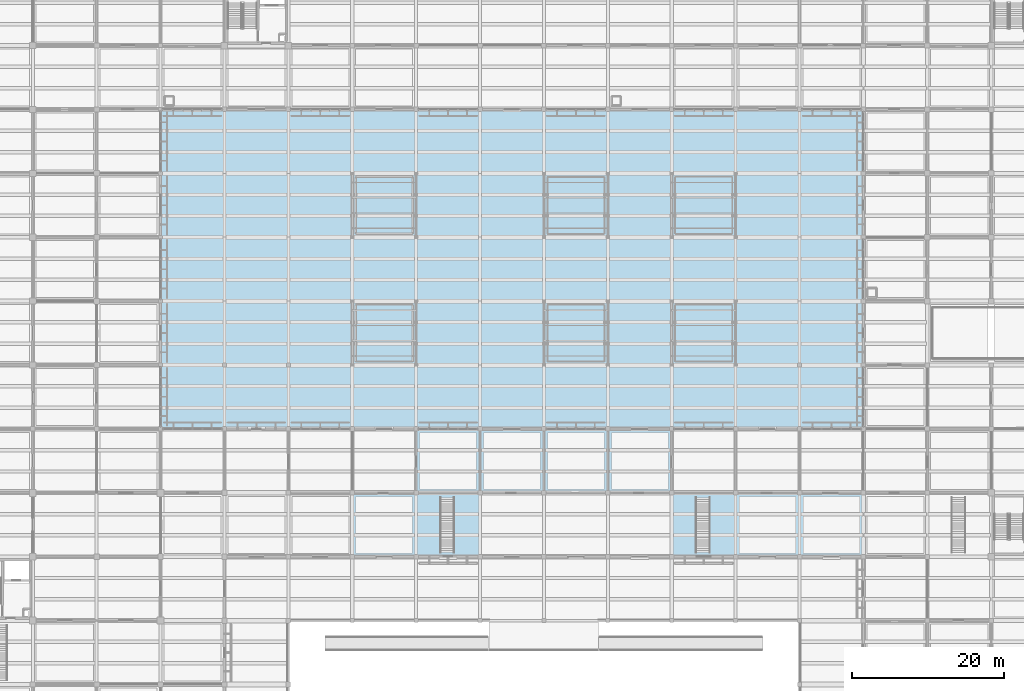
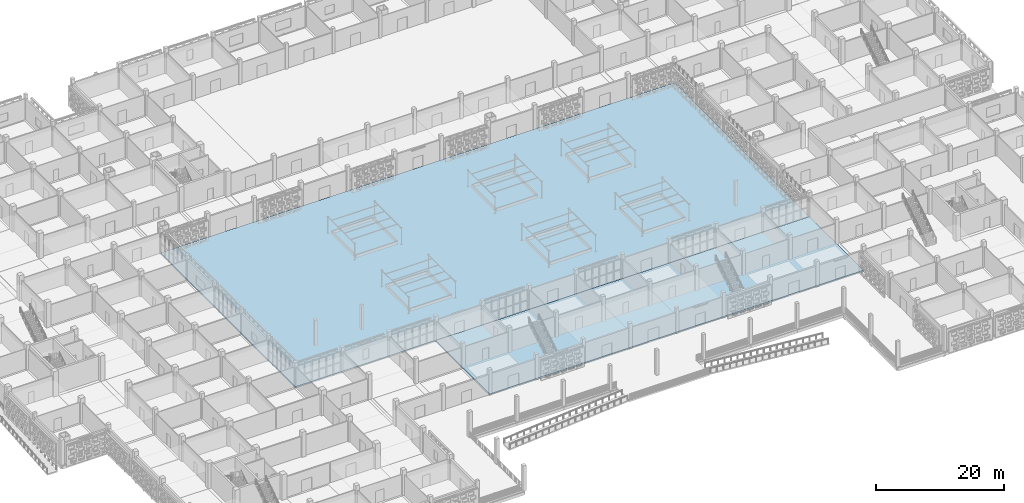
# One storey, part 47 of 129: 2 slabs.
"""IFC4 building model written with IfcOpenShell, lengths in metres."""

from ifc_helpers import new_model, si_unit, direction, frame, origin, place, context, subcontext, project, spatial, polyline, outline, extrude, material, layer, layer_set, type_object, element, save


model = new_model("IFC4")

# Units and contexts
model_context = context("Model", 3, precision=1e-05, world=origin(), true_north=direction((0.0, 1.0)))
body_context = subcontext(model_context, "Body", "Model", "MODEL_VIEW")
ifc_project = project(units=[si_unit("LENGTHUNIT", "METRE"), si_unit("AREAUNIT", "SQUARE_METRE"), si_unit("VOLUMEUNIT", "CUBIC_METRE"), si_unit("PLANEANGLEUNIT", "RADIAN"), si_unit("MASSUNIT", "GRAM", prefix="KILO")], contexts=[model_context])

# Site, building, storey
site_placement = place(None, origin())
site = spatial("IfcSite", under=ifc_project, at=site_placement, CompositionType="ELEMENT")
building_placement = place(site_placement, origin())
building = spatial("IfcBuilding", under=site, at=building_placement, Name="Varnapada Polytechnic", CompositionType="ELEMENT")
storey_placement = place(building_placement, origin())
storey = spatial("IfcBuildingStorey", under=building, at=storey_placement, Name="L00", CompositionType="ELEMENT", Elevation=0.0)

# Slabs
ifc_material = material(Name="Concrete C40/50", Category="concrete")
ifc_layer_1 = layer(ifc_material, 0.280029296875)
ifc_layer_set_1 = layer_set([ifc_layer_1], Name="Concrete C40/50")
slab_type_1 = type_object("IfcSlabType", Name="L00 exterior colonnade and portico deck SL-03", PredefinedType="FLOOR", material=ifc_layer_set_1)
slab_1_placement = place(storey_placement, frame((0.0, 0.0, -0.280029296875)))
element("IfcSlab", 1, at=slab_1_placement, inside=storey, type_object=slab_type_1, Name="L00 COLONNADE slab 1.2", PredefinedType="FLOOR", context=body_context, shape_type="SweptSolid", body=[
    extrude(outline(polyline([(42.0, 67.199951171875), (42.0, 75.60009765625), (42.0, 84.0), (50.39990234375, 84.0), (58.800048828125, 84.0), (67.199951171875, 84.0), (75.60009765625, 84.0), (84.0, 84.0), (92.39990234375, 84.0), (100.800048828125, 84.0), (109.199951171875, 84.0), (117.60009765625, 84.0), (126.0, 84.0), (134.39990234375, 84.0), (134.39990234375, 75.60009765625), (134.39990234375, 67.199951171875), (134.39990234375, 58.800048828125), (134.39990234375, 50.39990234375), (134.39990234375, 42.0), (126.0, 42.0), (117.60009765625, 42.0), (109.199951171875, 42.0), (100.800048828125, 42.0), (92.39990234375, 42.0), (84.0, 42.0), (75.60009765625, 42.0), (67.199951171875, 42.0), (58.800048828125, 42.0), (50.39990234375, 42.0), (42.0, 42.0), (42.0, 50.39990234375), (42.0, 58.800048828125), (42.0, 67.199951171875)])), origin(), (0.0, 0.0, 1.0), 0.280029296875),
])
ifc_layer_2 = layer(ifc_material, 0.300048828125)
ifc_layer_set_2 = layer_set([ifc_layer_2], Name="Concrete C40/50")
slab_type_2 = type_object("IfcSlabType", Name="L00 interior flood-resilient podium slab SL-01", PredefinedType="FLOOR", material=ifc_layer_set_2)
slab_2_placement = place(storey_placement, frame((0.0, 0.0, -0.300048828125)))
element("IfcSlab", 2, at=slab_2_placement, inside=storey, type_object=slab_type_2, Name="L00 V5 slab 3.1", PredefinedType="FLOOR", context=body_context, shape_type="SweptSolid", body=[
    extrude(outline(polyline([(92.39990234375, 25.199951171875), (84.0, 25.199951171875), (75.60009765625, 25.199951171875), (67.199951171875, 25.199951171875), (67.199951171875, 33.60009765625), (67.199951171875, 42.0), (75.60009765625, 42.0), (84.0, 42.0), (92.39990234375, 42.0), (100.800048828125, 42.0), (109.199951171875, 42.0), (117.60009765625, 42.0), (126.0, 42.0), (134.39990234375, 42.0), (134.39990234375, 33.60009765625), (134.39990234375, 25.199951171875), (126.0, 25.199951171875), (117.60009765625, 25.199951171875), (109.199951171875, 25.199951171875), (100.800048828125, 25.199951171875), (92.39990234375, 25.199951171875)])), origin(), (0.0, 0.0, 1.0), 0.300048828125),
])

save(model, "model.ifc")
